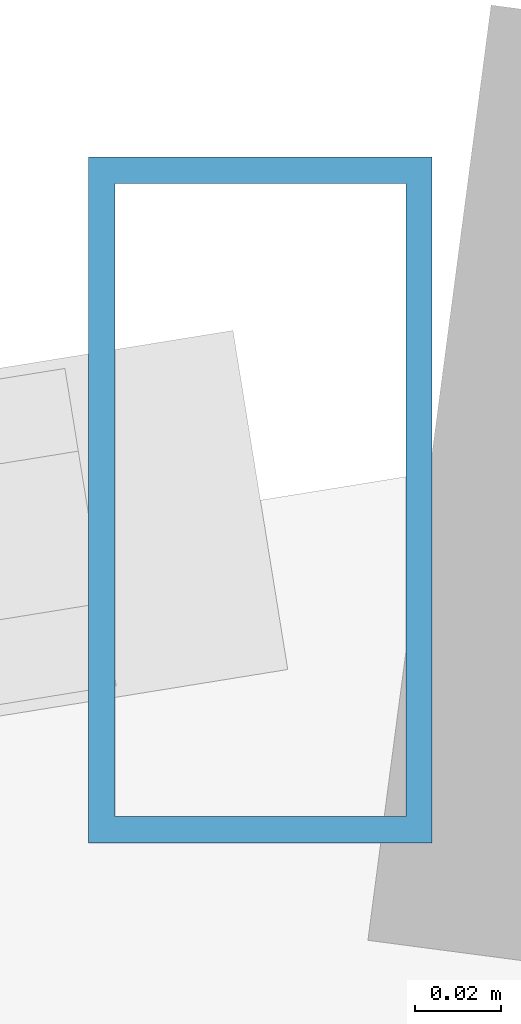
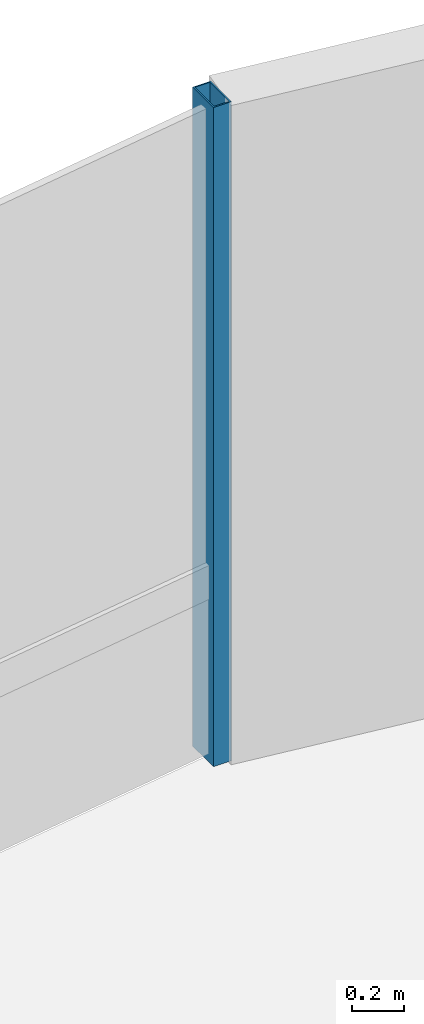
# One storey, part 16 of 22: 1 member, 1 element without a shape of its own.
"""IFC4 building model written with IfcOpenShell, lengths in metres."""

from ifc_helpers import new_model, si_unit, direction, frame, origin, origin_2d, place, context, subcontext, project, spatial, hollow_rectangle, extrude, source, transform, mapped, material, material_profile, profile_set, type_object, element, aggregate, save


model = new_model("IFC4")

# Units and contexts
model_context = context("Model", 3, precision=1e-05, world=origin(), true_north=direction((0.0, 1.0)))
body_context = subcontext(model_context, "Body", "Model", "MODEL_VIEW")
ifc_project = project(units=[si_unit("LENGTHUNIT", "METRE"), si_unit("AREAUNIT", "SQUARE_METRE"), si_unit("VOLUMEUNIT", "CUBIC_METRE"), si_unit("PLANEANGLEUNIT", "RADIAN"), si_unit("MASSUNIT", "GRAM", prefix="KILO")], contexts=[model_context])

# Site, building, storey
site_placement = place(None, origin())
site = spatial("IfcSite", under=ifc_project, at=site_placement, CompositionType="ELEMENT")
building_placement = place(site_placement, origin())
building = spatial("IfcBuilding", under=site, at=building_placement, Name="Sahyath Konkavel Grand Hotel", CompositionType="ELEMENT")
storey_placement = place(building_placement, frame((0.0, 0.0, 269.10009765625)))
storey = spatial("IfcBuildingStorey", under=building, at=storey_placement, Name="L75", CompositionType="ELEMENT", Elevation=269.10009765625)

# Curtain wall, member
ifc_material_1 = material(Name="Anodised Bronze Aluminium & Low-E Glazing", Category="aluminium")
curtain_wall_type = type_object("IfcCurtainWallType", Name="CW-ZONE4", PredefinedType="NOTDEFINED", material=ifc_material_1)
curtain_wall_placement = place(storey_placement, origin())
curtain_wall = element("IfcCurtainWall", 1, at=curtain_wall_placement, inside=storey, type_object=curtain_wall_type, Name="L75 Unitised Curtain Wall F12", PredefinedType="NOTDEFINED")
ifc_material_2 = material(Name="Anodised Bronze Aluminium", Category="aluminium")
ifc_material_profile = material_profile(ifc_material_2, hollow_rectangle(XDim=0.080078125, YDim=0.159912109375, WallThickness=0.006103515625, at=origin_2d()), Name="RHS 160x80x6")
ifc_profile_set = profile_set([ifc_material_profile], Name="Anodised Bronze Aluminium")
member_type = type_object("IfcMemberType", Name="CW-MUL-160", PredefinedType="MULLION", material=ifc_profile_set)
shared_shape = source(origin(), body_context, "Body", "SweptSolid", [
    extrude(hollow_rectangle(XDim=0.080078125, YDim=0.159912109375, WallThickness=0.006103515625, at=origin_2d()), origin(), (0.0, 0.0, 1.0), 3.10986328125),
])
member_placement = place(storey_placement, frame((1.0888671875, 20.1533203125, 0.0), z_axis=(0.0, 0.0, 1.0), x_axis=(1.0, 0.0, 0.0)))
member = element("IfcMember", 2, at=member_placement, type_object=member_type, Name="L75 Curtain Wall Mullion F12-0", PredefinedType="MULLION", context=body_context, shape_type="MappedRepresentation", body=[
    mapped(shared_shape, transform((0.0, 0.0, 0.0), scale=1.0)),
])
aggregate(curtain_wall, [member])

save(model, "model.ifc")
